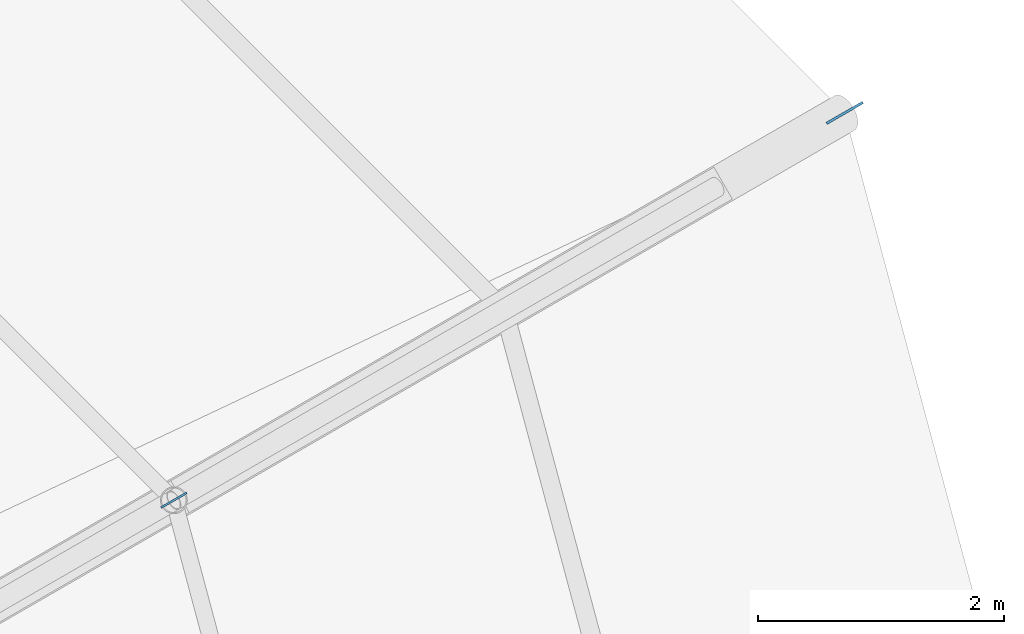
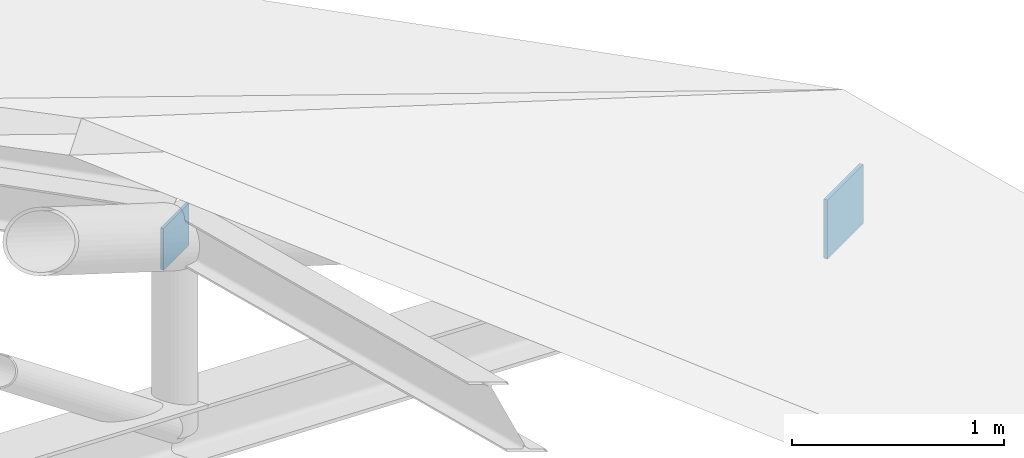
# One storey, part 46 of 58: 2 plates.
"""IFC4 building model written with IfcOpenShell, lengths in metres."""

from ifc_helpers import new_model, si_unit, derived_unit, direction, frame, origin, origin_2d, place, context, subcontext, project, spatial, rectangle, extrude, material, layer, layer_set, type_object, element, save


model = new_model("IFC4")

# Units and contexts
model_context = context("Model", 3, precision=1e-05, world=origin(), true_north=direction((0.0, 1.0)))
body_context = subcontext(model_context, "Body", "Model", "MODEL_VIEW")
ifc_project = project(units=[si_unit("LENGTHUNIT", "METRE"), si_unit("AREAUNIT", "SQUARE_METRE"), si_unit("VOLUMEUNIT", "CUBIC_METRE"), si_unit("PLANEANGLEUNIT", "RADIAN"), si_unit("MASSUNIT", "GRAM", prefix="KILO"), derived_unit("THERMALTRANSMITTANCEUNIT", [(si_unit("POWERUNIT", "WATT"), 1), (si_unit("AREAUNIT", "SQUARE_METRE"), -1), (si_unit("THERMODYNAMICTEMPERATUREUNIT", "KELVIN"), -1)])], contexts=[model_context])

# Site, building, storey
site_placement = place(None, origin())
site = spatial("IfcSite", under=ifc_project, at=site_placement, CompositionType="ELEMENT")
building_placement = place(site_placement, origin())
building = spatial("IfcBuilding", under=site, at=building_placement, Name="Yasenodar Specialist Clinic", CompositionType="ELEMENT")
storey_placement = place(building_placement, frame((0.0, 0.0, 21.300048828125)))
storey = spatial("IfcBuildingStorey", under=building, at=storey_placement, Name="L05", CompositionType="ELEMENT", Elevation=21.300048828125)

# Plates
ifc_material = material(Name="Steel S355", Category="steel")
ifc_layer_1 = layer(ifc_material, 0.02001953125)
ifc_layer_set_1 = layer_set([ifc_layer_1], Name="Steel S355")
plate_type_1 = type_object("IfcPlateType", Name="PL-STEEL-03", PredefinedType="SHEET", material=ifc_layer_set_1)
plate_1_placement = place(storey_placement, frame((102.82373046875, 71.39990234375, -0.8701171875), z_axis=(0.0, 0.0, 1.0), x_axis=(0.866025403784, 0.5, 0.0)))
element("IfcPlate", 1, at=plate_1_placement, inside=storey, type_object=plate_type_1, Name="L05 Hollow Section End-Cap Plate 0048", PredefinedType="SHEET", context=body_context, shape_type="SweptSolid", body=[
    extrude(rectangle(XDim=0.340087890625, YDim=0.02001953125, at=origin_2d()), origin(), (0.0, 0.0, 1.0), 0.340087890625),
])
ifc_layer_2 = layer(ifc_material, 0.01611328125)
ifc_layer_set_2 = layer_set([ifc_layer_2], Name="Steel S355")
plate_type_2 = type_object("IfcPlateType", Name="PL-STEEL-05", PredefinedType="USERDEFINED", material=ifc_layer_set_2)
plate_2_placement = place(storey_placement, frame((97.367919921875, 68.25, 2.85498046875), z_axis=(0.0, 0.0, 1.0), x_axis=(0.866025403784, 0.5, 0.0)))
element("IfcPlate", 2, at=plate_2_placement, inside=storey, type_object=plate_type_2, Name="L05 Hollow Section End-Cap Plate 0049", ObjectType="CAP_PLATE", PredefinedType="USERDEFINED", context=body_context, shape_type="SweptSolid", body=[
    extrude(rectangle(XDim=0.239990234375, YDim=0.01611328125, at=origin_2d()), origin(), (0.0, 0.0, 1.0), 0.239990234375),
])

save(model, "model.ifc")
